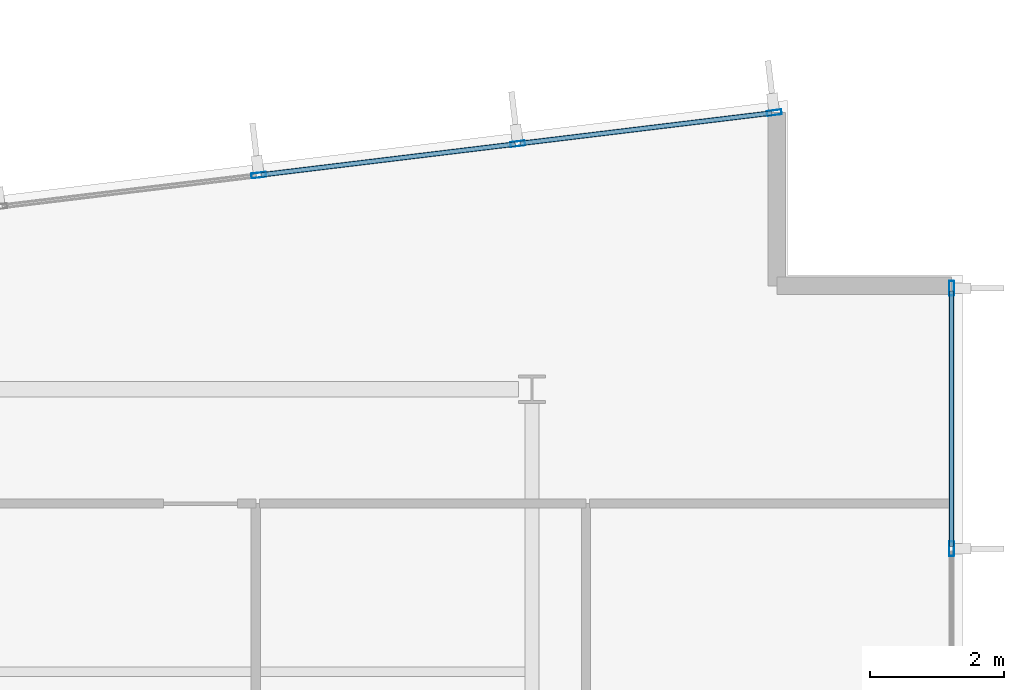
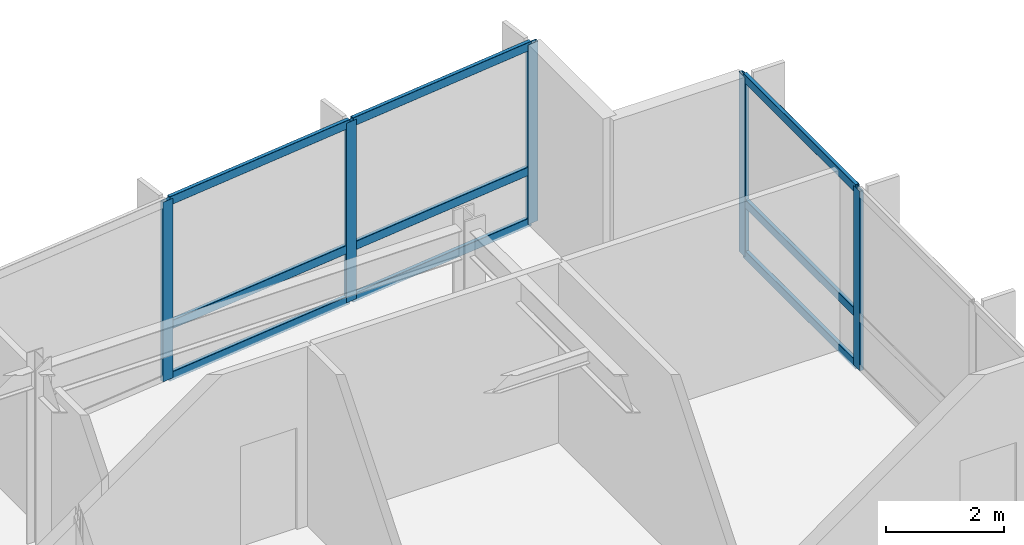
# One storey, part 8 of 18: 14 members, 2 elements without a shape of their own.
"""IFC4 building model written with IfcOpenShell, lengths in metres."""

from ifc_helpers import new_model, si_unit, direction, frame, origin, origin_2d, place, context, subcontext, project, spatial, hollow_rectangle, extrude, material, layer, layer_set, material_profile, profile_set, type_object, element, aggregate, save


model = new_model("IFC4")

# Units and contexts
model_context = context("Model", 3, precision=1e-05, world=origin(), true_north=direction((0.0, 1.0)))
body_context = subcontext(model_context, "Body", "Model", "MODEL_VIEW")
ifc_project = project(units=[si_unit("LENGTHUNIT", "METRE"), si_unit("AREAUNIT", "SQUARE_METRE"), si_unit("VOLUMEUNIT", "CUBIC_METRE"), si_unit("PLANEANGLEUNIT", "RADIAN"), si_unit("MASSUNIT", "GRAM", prefix="KILO")], contexts=[model_context])

# Site, building, storey
site_placement = place(None, origin())
site = spatial("IfcSite", under=ifc_project, at=site_placement, CompositionType="ELEMENT")
building_placement = place(site_placement, origin())
building = spatial("IfcBuilding", under=site, at=building_placement, Name="Varnakote Quay Hospital", CompositionType="ELEMENT")
storey_placement = place(building_placement, frame((0.0, 0.0, 158.64990234375)))
storey = spatial("IfcBuildingStorey", under=building, at=storey_placement, Name="L39", CompositionType="ELEMENT", Elevation=158.64990234375)

# Curtain wall, members
ifc_material_1 = material(Name="Anodised aluminium 6063-T6 Bronze", Category="aluminium")
ifc_layer = layer(ifc_material_1, 0.205078125)
ifc_layer_set = layer_set([ifc_layer], Name="Anodised aluminium 6063-T6 Bronze")
curtain_wall_type = type_object("IfcCurtainWallType", Name="CW-SYS-3", PredefinedType="NOTDEFINED", material=ifc_layer_set)
curtain_wall_1_placement = place(storey_placement, origin())
curtain_wall_1 = element("IfcCurtainWall", 1, at=curtain_wall_1_placement, inside=storey, type_object=curtain_wall_type, Name="L39 Unitised Bronze Curtain Wall 1", PredefinedType="NOTDEFINED")
ifc_material_2 = material(Name="Anodised aluminium 6063-T6 Bronze", Category="aluminium")
ifc_material_profile_1 = material_profile(ifc_material_2, hollow_rectangle(XDim=0.074951171875, YDim=0.219970703125, WallThickness=0.00439453125, InnerFilletRadius=0.00439453125, OuterFilletRadius=0.009033203125, at=origin_2d()), Name="CW-MULL-220x75")
ifc_profile_set_1 = profile_set([ifc_material_profile_1], Name="Anodised aluminium 6063-T6 Bronze")
member_type_1 = type_object("IfcMemberType", Name="CW-MULL-220x75", PredefinedType="MULLION", material=ifc_profile_set_1)
member_1_placement = place(storey_placement, frame((56.639892578125, 26.4267578125, 0.0), z_axis=(0.0, 0.0, 1.0), x_axis=(-1.0, 0.0, 0.0)))
member_1 = element("IfcMember", 2, at=member_1_placement, type_object=member_type_1, Name="-3-L39-1 mullion 6", PredefinedType="MULLION", context=body_context, shape_type="SweptSolid", body=[
    extrude(hollow_rectangle(XDim=0.074951171875, YDim=0.219970703125, WallThickness=0.00439453125, InnerFilletRadius=0.00439453125, OuterFilletRadius=0.009033203125, at=origin_2d()), origin(), (0.0, 0.0, 1.0), 3.710205078125),
])
member_2_placement = place(storey_placement, frame((56.639892578125, 30.302490234375, 0.0), z_axis=(0.0, 0.0, 1.0), x_axis=(-1.0, 0.0, 0.0)))
member_2 = element("IfcMember", 3, at=member_2_placement, type_object=member_type_1, Name="-3-L39-1 mullion 7", PredefinedType="MULLION", context=body_context, shape_type="SweptSolid", body=[
    extrude(hollow_rectangle(XDim=0.074951171875, YDim=0.219970703125, WallThickness=0.00439453125, InnerFilletRadius=0.00439453125, OuterFilletRadius=0.009033203125, at=origin_2d()), origin(), (0.0, 0.0, 1.0), 3.710205078125),
])

curtain_wall_2_placement = place(storey_placement, origin())
curtain_wall_2 = element("IfcCurtainWall", 4, at=curtain_wall_2_placement, inside=storey, type_object=curtain_wall_type, Name="L39 Unitised Bronze Curtain Wall 2", PredefinedType="NOTDEFINED")
member_3_placement = place(storey_placement, frame((54.002685546875, 32.914794921875, 0.0), z_axis=(0.0, 0.0, 1.0), x_axis=(0.12032713492, -0.992734295067, 0.0)))
member_3 = element("IfcMember", 5, at=member_3_placement, type_object=member_type_1, Name="-3-L39-2 mullion 1", PredefinedType="MULLION", context=body_context, shape_type="SweptSolid", body=[
    extrude(hollow_rectangle(XDim=0.074951171875, YDim=0.219970703125, WallThickness=0.00439453125, InnerFilletRadius=0.00439453125, OuterFilletRadius=0.009033203125, at=origin_2d()), origin(), (0.0, 0.0, 1.0), 3.710205078125),
])
member_4_placement = place(storey_placement, frame((50.1875, 32.452392578125, 0.0), z_axis=(0.0, 0.0, 1.0), x_axis=(0.12032713492, -0.992734295067, 0.0)))
member_4 = element("IfcMember", 6, at=member_4_placement, type_object=member_type_1, Name="-3-L39-2 mullion 2", PredefinedType="MULLION", context=body_context, shape_type="SweptSolid", body=[
    extrude(hollow_rectangle(XDim=0.074951171875, YDim=0.219970703125, WallThickness=0.00439453125, InnerFilletRadius=0.00439453125, OuterFilletRadius=0.009033203125, at=origin_2d()), origin(), (0.0, 0.0, 1.0), 3.710205078125),
])
member_5_placement = place(storey_placement, frame((46.3349609375, 31.985595703125, 0.0), z_axis=(0.0, 0.0, 1.0), x_axis=(0.12032713492, -0.992734295067, 0.0)))
member_5 = element("IfcMember", 7, at=member_5_placement, type_object=member_type_1, Name="-3-L39-2 mullion 3", PredefinedType="MULLION", context=body_context, shape_type="SweptSolid", body=[
    extrude(hollow_rectangle(XDim=0.074951171875, YDim=0.219970703125, WallThickness=0.00439453125, InnerFilletRadius=0.00439453125, OuterFilletRadius=0.009033203125, at=origin_2d()), origin(), (0.0, 0.0, 1.0), 3.710205078125),
])

# Member
ifc_material_3 = material(Name="Anodised aluminium 6063-T6 Bronze", Category="aluminium")
ifc_material_profile_2 = material_profile(ifc_material_3, hollow_rectangle(XDim=0.074951171875, YDim=0.179931640625, WallThickness=0.004150390625, InnerFilletRadius=0.004150390625, OuterFilletRadius=0.00830078125, at=origin_2d()), Name="CW-TRAN-180x75")
ifc_profile_set_2 = profile_set([ifc_material_profile_2], Name="Anodised aluminium 6063-T6 Bronze")
member_type_2 = type_object("IfcMemberType", Name="CW-TRAN-180x75", PredefinedType="USERDEFINED", material=ifc_profile_set_2)
member_6_placement = place(storey_placement, frame((56.639892578125, 26.464111328125, 0.03759765625), z_axis=(0.0, 1.0, 0.0), x_axis=(-1.0, 0.0, 0.0)))
member_6 = element("IfcMember", 8, at=member_6_placement, type_object=member_type_2, Name="-3-L39-1 transom 6.1", ObjectType="TRANSOM", PredefinedType="USERDEFINED", context=body_context, shape_type="SweptSolid", body=[
    extrude(hollow_rectangle(XDim=0.074951171875, YDim=0.179931640625, WallThickness=0.004150390625, InnerFilletRadius=0.004150390625, OuterFilletRadius=0.00830078125, at=origin_2d()), origin(), (0.0, 0.0, 1.0), 3.80078125),
])

member_7_placement = place(storey_placement, frame((56.639892578125, 26.464111328125, 1.10009765625), z_axis=(0.0, 1.0, 0.0), x_axis=(-1.0, 0.0, 0.0)))
member_7 = element("IfcMember", 9, at=member_7_placement, type_object=member_type_2, Name="-3-L39-1 transom 6.2", ObjectType="TRANSOM", PredefinedType="USERDEFINED", context=body_context, shape_type="SweptSolid", body=[
    extrude(hollow_rectangle(XDim=0.074951171875, YDim=0.179931640625, WallThickness=0.004150390625, InnerFilletRadius=0.004150390625, OuterFilletRadius=0.00830078125, at=origin_2d()), origin(), (0.0, 0.0, 1.0), 3.80078125),
])

member_8_placement = place(storey_placement, frame((56.639892578125, 26.464111328125, 3.672607421875), z_axis=(0.0, 1.0, 0.0), x_axis=(-1.0, 0.0, 0.0)))
member_8 = element("IfcMember", 10, at=member_8_placement, type_object=member_type_2, Name="-3-L39-1 transom 6.3", ObjectType="TRANSOM", PredefinedType="USERDEFINED", context=body_context, shape_type="SweptSolid", body=[
    extrude(hollow_rectangle(XDim=0.074951171875, YDim=0.179931640625, WallThickness=0.004150390625, InnerFilletRadius=0.004150390625, OuterFilletRadius=0.00830078125, at=origin_2d()), origin(), (0.0, 0.0, 1.0), 3.80078125),
])

aggregate(curtain_wall_1, [member_1, member_2, member_6, member_7, member_8])

member_9_placement = place(storey_placement, frame((53.965576171875, 32.910400390625, 0.03759765625), z_axis=(-0.992735423717, -0.120317822859, 0.0), x_axis=(0.120317822859, -0.992735423717, 0.0)))
member_9 = element("IfcMember", 11, at=member_9_placement, type_object=member_type_2, Name="-3-L39-2 transom 1.1", ObjectType="TRANSOM", PredefinedType="USERDEFINED", context=body_context, shape_type="SweptSolid", body=[
    extrude(hollow_rectangle(XDim=0.074951171875, YDim=0.179931640625, WallThickness=0.004150390625, InnerFilletRadius=0.004150390625, OuterFilletRadius=0.00830078125, at=origin_2d()), origin(), (0.0, 0.0, 1.0), 3.76806640625),
])

member_10_placement = place(storey_placement, frame((53.965576171875, 32.910400390625, 1.10009765625), z_axis=(-0.992735423717, -0.120317822859, 0.0), x_axis=(0.120317822859, -0.992735423717, 0.0)))
member_10 = element("IfcMember", 12, at=member_10_placement, type_object=member_type_2, Name="-3-L39-2 transom 1.2", ObjectType="TRANSOM", PredefinedType="USERDEFINED", context=body_context, shape_type="SweptSolid", body=[
    extrude(hollow_rectangle(XDim=0.074951171875, YDim=0.179931640625, WallThickness=0.004150390625, InnerFilletRadius=0.004150390625, OuterFilletRadius=0.00830078125, at=origin_2d()), origin(), (0.0, 0.0, 1.0), 3.76806640625),
])

member_11_placement = place(storey_placement, frame((53.965576171875, 32.910400390625, 3.672607421875), z_axis=(-0.992735423717, -0.120317822859, 0.0), x_axis=(0.120317822859, -0.992735423717, 0.0)))
member_11 = element("IfcMember", 13, at=member_11_placement, type_object=member_type_2, Name="-3-L39-2 transom 1.3", ObjectType="TRANSOM", PredefinedType="USERDEFINED", context=body_context, shape_type="SweptSolid", body=[
    extrude(hollow_rectangle(XDim=0.074951171875, YDim=0.179931640625, WallThickness=0.004150390625, InnerFilletRadius=0.004150390625, OuterFilletRadius=0.00830078125, at=origin_2d()), origin(), (0.0, 0.0, 1.0), 3.76806640625),
])

member_12_placement = place(storey_placement, frame((50.150390625, 32.447998046875, 0.03759765625), z_axis=(-0.992731924158, -0.120346694005, 0.0), x_axis=(0.120346694005, -0.992731924158, 0.0)))
member_12 = element("IfcMember", 14, at=member_12_placement, type_object=member_type_2, Name="-3-L39-2 transom 2.1", ObjectType="TRANSOM", PredefinedType="USERDEFINED", context=body_context, shape_type="SweptSolid", body=[
    extrude(hollow_rectangle(XDim=0.074951171875, YDim=0.179931640625, WallThickness=0.004150390625, InnerFilletRadius=0.004150390625, OuterFilletRadius=0.00830078125, at=origin_2d()), origin(), (0.0, 0.0, 1.0), 3.8056640625),
])

member_13_placement = place(storey_placement, frame((50.150390625, 32.447998046875, 1.10009765625), z_axis=(-0.992731924158, -0.120346694005, 0.0), x_axis=(0.120346694005, -0.992731924158, 0.0)))
member_13 = element("IfcMember", 15, at=member_13_placement, type_object=member_type_2, Name="-3-L39-2 transom 2.2", ObjectType="TRANSOM", PredefinedType="USERDEFINED", context=body_context, shape_type="SweptSolid", body=[
    extrude(hollow_rectangle(XDim=0.074951171875, YDim=0.179931640625, WallThickness=0.004150390625, InnerFilletRadius=0.004150390625, OuterFilletRadius=0.00830078125, at=origin_2d()), origin(), (0.0, 0.0, 1.0), 3.8056640625),
])

member_14_placement = place(storey_placement, frame((50.150390625, 32.447998046875, 3.672607421875), z_axis=(-0.992731924158, -0.120346694005, 0.0), x_axis=(0.120346694005, -0.992731924158, 0.0)))
member_14 = element("IfcMember", 16, at=member_14_placement, type_object=member_type_2, Name="-3-L39-2 transom 2.3", ObjectType="TRANSOM", PredefinedType="USERDEFINED", context=body_context, shape_type="SweptSolid", body=[
    extrude(hollow_rectangle(XDim=0.074951171875, YDim=0.179931640625, WallThickness=0.004150390625, InnerFilletRadius=0.004150390625, OuterFilletRadius=0.00830078125, at=origin_2d()), origin(), (0.0, 0.0, 1.0), 3.8056640625),
])

aggregate(curtain_wall_2, [member_3, member_4, member_5, member_9, member_10, member_11, member_12, member_13, member_14])

save(model, "model.ifc")
